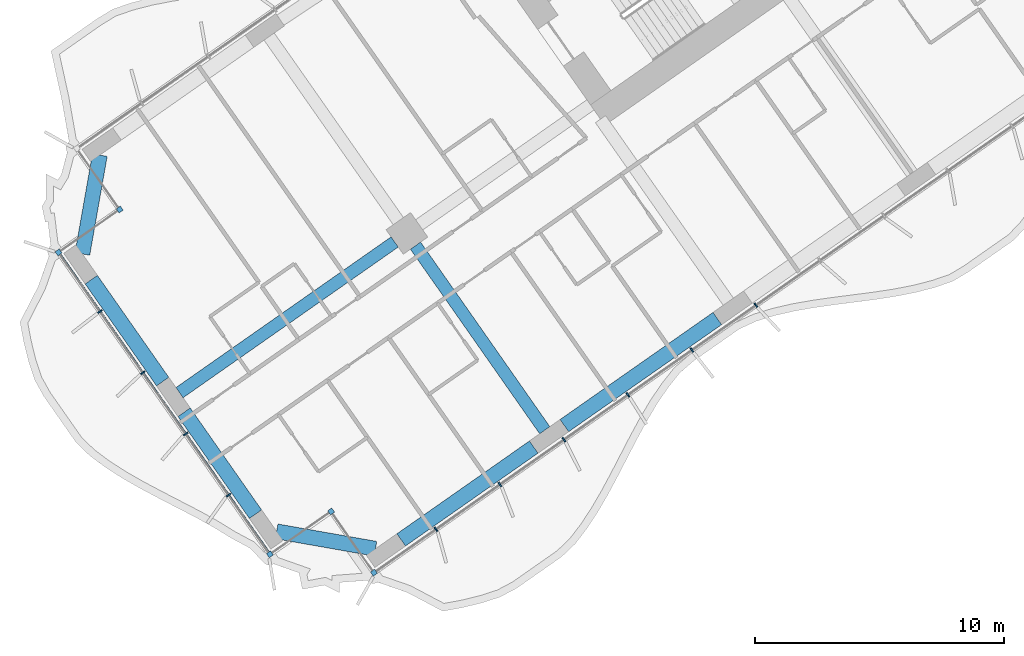
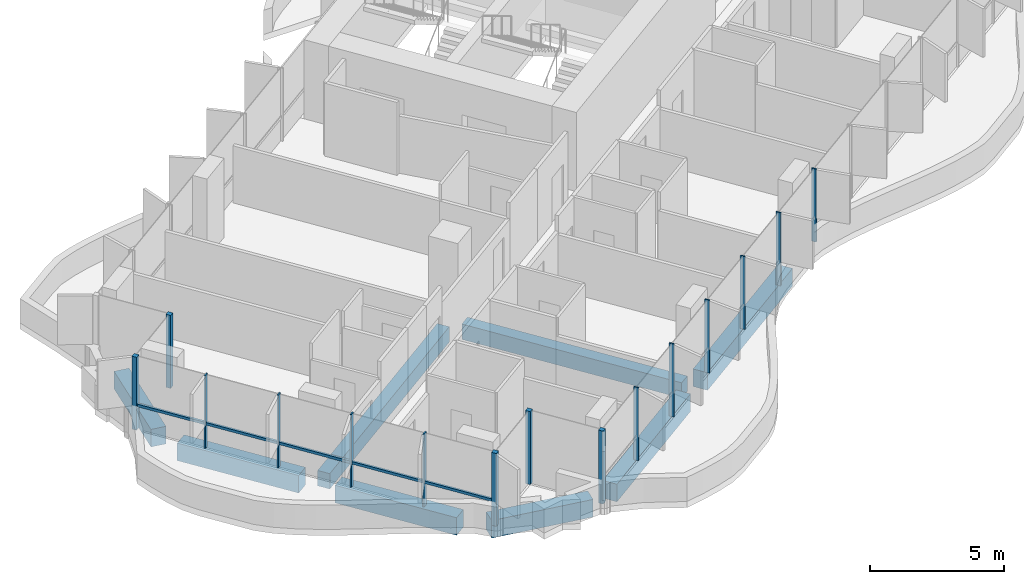
# One storey, part 2 of 25: 16 members, 8 beams, 1 element without a shape of its own.
"""IFC4 building model written with IfcOpenShell, lengths in metres."""

from ifc_helpers import new_model, si_unit, direction, frame, origin, origin_2d, place, context, subcontext, project, spatial, rectangle, extrude, material, material_profile, profile_set, type_object, element, aggregate, save


model = new_model("IFC4")

# Units and contexts
model_context = context("Model", 3, precision=1e-05, world=origin(), true_north=direction((0.0, 1.0)))
body_context = subcontext(model_context, "Body", "Model", "MODEL_VIEW")
ifc_project = project(units=[si_unit("LENGTHUNIT", "METRE"), si_unit("AREAUNIT", "SQUARE_METRE"), si_unit("VOLUMEUNIT", "CUBIC_METRE"), si_unit("PLANEANGLEUNIT", "RADIAN"), si_unit("MASSUNIT", "GRAM", prefix="KILO")], contexts=[model_context])

# Site, building, storey
site_placement = place(None, origin())
site = spatial("IfcSite", under=ifc_project, at=site_placement, CompositionType="ELEMENT")
building_placement = place(site_placement, origin())
building = spatial("IfcBuilding", under=site, at=building_placement, Name="Tel Ilan Convention Tower", CompositionType="ELEMENT")
storey_placement = place(building_placement, frame((0.0, 0.0, 54.5)))
storey = spatial("IfcBuildingStorey", under=building, at=storey_placement, Name="L08", CompositionType="ELEMENT", Elevation=54.5)

# Beams
ifc_material_1 = material(Name="Concrete C40/50", Category="concrete")
ifc_material_profile_1 = material_profile(ifc_material_1, rectangle(XDim=0.5, YDim=0.699951171875, at=origin_2d()), Name="RC 500x700")
ifc_profile_set_1 = profile_set([ifc_material_profile_1], Name="Concrete C40/50")
beam_type_1 = type_object("IfcBeamType", Name="Beam RC 500x700 Concrete C40/50", PredefinedType="BEAM", material=ifc_profile_set_1)
beam_1_placement = place(storey_placement, frame((-29.98095703125, -20.992919921875, -0.6298828125), z_axis=(-0.819151461915, -0.573577268067, 0.0), x_axis=(0.573577268067, -0.819151461915, 0.0)))
element("IfcBeam", 1, at=beam_1_placement, inside=storey, type_object=beam_type_1, Name="L08 beam W-W-M4-end", PredefinedType="BEAM", context=body_context, shape_type="SweptSolid", body=[
    extrude(rectangle(XDim=0.5, YDim=0.699951171875, at=origin_2d()), origin(), (0.0, 0.0, 1.0), 10.550048828125),
])
beam_2_placement = place(storey_placement, frame((-29.145263671875, -21.14013671875, -0.6298828125), z_axis=(0.573549245583, -0.819171082798, 0.0), x_axis=(0.819171082798, 0.573549245583, 0.0)))
element("IfcBeam", 2, at=beam_2_placement, inside=storey, type_object=beam_type_1, Name="L08 beam W-W-M4-W-F4", PredefinedType="BEAM", context=body_context, shape_type="SweptSolid", body=[
    extrude(rectangle(XDim=0.5, YDim=0.699951171875, at=origin_2d()), origin(), (0.0, 0.0, 1.0), 9.050048828125),
])
ifc_material_2 = material(Name="Concrete C40/50", Category="concrete")
ifc_material_profile_2 = material_profile(ifc_material_2, rectangle(XDim=0.60009765625, YDim=0.800048828125, at=origin_2d()), Name="RC 600x800")
ifc_profile_set_2 = profile_set([ifc_material_profile_2], Name="Concrete C40/50")
beam_type_2 = type_object("IfcBeamType", Name="Beam RC 600x800 Concrete C40/50", PredefinedType="BEAM", material=ifc_profile_set_2)
beam_3_placement = place(storey_placement, frame((-17.0244140625, -24.0673828125, -0.679931640625), z_axis=(-0.81915238829, -0.573575945067, 0.0), x_axis=(0.573575945067, -0.81915238829, 0.0)))
element("IfcBeam", 3, at=beam_3_placement, inside=storey, type_object=beam_type_2, Name="L08 beam W-W-F3-W-F4", PredefinedType="BEAM", context=body_context, shape_type="SweptSolid", body=[
    extrude(rectangle(XDim=0.60009765625, YDim=0.800048828125, at=origin_2d()), origin(), (0.0, 0.0, 1.0), 7.5),
])
beam_4_placement = place(storey_placement, frame((-24.396728515625, -29.2294921875, -0.679931640625), z_axis=(-0.819148977158, -0.573580816643, 0.0), x_axis=(0.573580816643, -0.819148977158, 0.0)))
element("IfcBeam", 4, at=beam_4_placement, inside=storey, type_object=beam_type_2, Name="L08 beam W-W-F4-W-FC", PredefinedType="BEAM", context=body_context, shape_type="SweptSolid", body=[
    extrude(rectangle(XDim=0.60009765625, YDim=0.800048828125, at=origin_2d()), origin(), (0.0, 0.0, 1.0), 6.5),
])
beam_5_placement = place(storey_placement, frame((-30.75341796875, -33.314208984375, -0.679931640625), z_axis=(-0.984815252405, 0.173605641124, 0.0), x_axis=(-0.173605641124, -0.984815252405, 0.0)))
element("IfcBeam", 5, at=beam_5_placement, inside=storey, type_object=beam_type_2, Name="L08 beam W-W-FC-W-E1", PredefinedType="BEAM", context=body_context, shape_type="SweptSolid", body=[
    extrude(rectangle(XDim=0.60009765625, YDim=0.800048828125, at=origin_2d()), origin(), (0.0, 0.0, 1.0), 4.030517578125),
])
for number, where, z_axis, x_axis, name in (
    (6, (-35.57080078125, -31.92626953125, -0.679931640625), (-0.573586866468, 0.819144740944, 0.0), (-0.819144740944, -0.573586866468, 0.0), "L08 beam W-W-E1-W-E2"),
    (7, (-39.298828125, -26.601806640625, -0.679931640625), (-0.573586866468, 0.819144740944, 0.0), (-0.819144740944, -0.573586866468, 0.0), "L08 beam W-W-E2-W-E3"),
):
    element("IfcBeam", number, at=place(storey_placement, frame(where, z_axis=z_axis, x_axis=x_axis)), inside=storey, type_object=beam_type_2, Name=name, PredefinedType="BEAM", context=body_context, shape_type="SweptSolid", body=[
        extrude(rectangle(XDim=0.60009765625, YDim=0.800048828125, at=origin_2d()), origin(), (0.0, 0.0, 1.0), 5.0),
    ])
beam_6_placement = place(storey_placement, frame((-42.523193359375, -21.473876953125, -0.679931640625), z_axis=(0.173605641124, 0.984815252405, 0.0), x_axis=(-0.984815252405, 0.173605641124, 0.0)))
element("IfcBeam", 8, at=beam_6_placement, inside=storey, type_object=beam_type_2, Name="L08 beam W-W-E3-W-BC", PredefinedType="BEAM", context=body_context, shape_type="SweptSolid", body=[
    extrude(rectangle(XDim=0.60009765625, YDim=0.800048828125, at=origin_2d()), origin(), (0.0, 0.0, 1.0), 4.030517578125),
])

# Curtain wall, members
ifc_material_3 = material(Name="Aluminium, bronze anodised", Category="aluminium")
curtain_wall_type = type_object("IfcCurtainWallType", Name="CW1 UNITISED CURTAIN WALL, HOTEL TINTED GLASS", PredefinedType="NOTDEFINED", material=ifc_material_3)
curtain_wall_placement = place(storey_placement, origin())
curtain_wall = element("IfcCurtainWall", 9, at=curtain_wall_placement, inside=storey, type_object=curtain_wall_type, Name="Curtain wall CW1-11.02", PredefinedType="NOTDEFINED")
ifc_material_4 = material(Name="Aluminium, bronze anodised", Category="aluminium")
ifc_material_profile_3 = material_profile(ifc_material_4, rectangle(XDim=0.199951171875, YDim=0.199951171875, at=origin_2d()), Name="CW CORNER MULLION 200x200")
ifc_profile_set_3 = profile_set([ifc_material_profile_3], Name="Aluminium, bronze anodised")
member_type_1 = type_object("IfcMemberType", Name="CW CORNER MULLION 200x200", PredefinedType="MULLION", material=ifc_profile_set_3)
member_1_placement = place(storey_placement, frame((-41.0244140625, -19.69189453125, 0.0), z_axis=(0.0, 0.0, 1.0), x_axis=(0.573576436351, -0.819152044289, 0.0)))
member_1 = element("IfcMember", 10, at=member_1_placement, type_object=member_type_1, Name="Corner mullion", PredefinedType="MULLION", context=body_context, shape_type="SweptSolid", body=[
    extrude(rectangle(XDim=0.199951171875, YDim=0.199951171875, at=origin_2d()), origin(), (0.0, 0.0, 1.0), 3.320068359375),
])
member_2_placement = place(storey_placement, frame((-43.48193359375, -21.41259765625, 0.0), z_axis=(0.0, 0.0, 1.0), x_axis=(-0.819152044289, -0.573576436351, 0.0)))
member_2 = element("IfcMember", 11, at=member_2_placement, type_object=member_type_1, Name="Corner mullion", PredefinedType="MULLION", context=body_context, shape_type="SweptSolid", body=[
    extrude(rectangle(XDim=0.199951171875, YDim=0.199951171875, at=origin_2d()), origin(), (0.0, 0.0, 1.0), 3.320068359375),
])
member_3_placement = place(storey_placement, frame((-34.992919921875, -33.5361328125, 0.0), z_axis=(0.0, 0.0, 1.0), x_axis=(0.573576436351, -0.819152044289, 0.0)))
member_3 = element("IfcMember", 12, at=member_3_placement, type_object=member_type_1, Name="Corner mullion", PredefinedType="MULLION", context=body_context, shape_type="SweptSolid", body=[
    extrude(rectangle(XDim=0.199951171875, YDim=0.199951171875, at=origin_2d()), origin(), (0.0, 0.0, 1.0), 3.320068359375),
])
member_4_placement = place(storey_placement, frame((-32.535400390625, -31.815185546875, 0.0), z_axis=(0.0, 0.0, 1.0), x_axis=(0.819152044289, 0.573576436351, 0.0)))
member_4 = element("IfcMember", 13, at=member_4_placement, type_object=member_type_1, Name="Corner mullion", PredefinedType="MULLION", context=body_context, shape_type="SweptSolid", body=[
    extrude(rectangle(XDim=0.199951171875, YDim=0.199951171875, at=origin_2d()), origin(), (0.0, 0.0, 1.0), 3.320068359375),
])
member_5_placement = place(storey_placement, frame((-30.814697265625, -34.272705078125, 0.0), z_axis=(0.0, 0.0, 1.0), x_axis=(0.573576436351, -0.819152044289, 0.0)))
member_5 = element("IfcMember", 14, at=member_5_placement, type_object=member_type_1, Name="Corner mullion", PredefinedType="MULLION", context=body_context, shape_type="SweptSolid", body=[
    extrude(rectangle(XDim=0.199951171875, YDim=0.199951171875, at=origin_2d()), origin(), (0.0, 0.0, 1.0), 3.320068359375),
])
ifc_material_5 = material(Name="Aluminium, bronze anodised", Category="aluminium")
ifc_material_profile_4 = material_profile(ifc_material_5, rectangle(XDim=0.06005859375, YDim=0.199951171875, at=origin_2d()), Name="CW MULLION 60x200")
ifc_profile_set_4 = profile_set([ifc_material_profile_4], Name="Aluminium, bronze anodised")
member_type_2 = type_object("IfcMemberType", Name="CW MULLION 60x200", PredefinedType="MULLION", material=ifc_profile_set_4)
member_6_placement = place(storey_placement, frame((-41.818359375, -23.7880859375, 0.0), z_axis=(0.0, 0.0, 1.0), x_axis=(0.573576436351, -0.819152044289, 0.0)))
member_6 = element("IfcMember", 15, at=member_6_placement, type_object=member_type_2, Name="Mullion", PredefinedType="MULLION", context=body_context, shape_type="SweptSolid", body=[
    extrude(rectangle(XDim=0.06005859375, YDim=0.199951171875, at=origin_2d()), origin(), (0.0, 0.0, 1.0), 3.320068359375),
])
member_7_placement = place(storey_placement, frame((-40.09765625, -26.24560546875, 0.0), z_axis=(0.0, 0.0, 1.0), x_axis=(0.573576436351, -0.819152044289, 0.0)))
member_7 = element("IfcMember", 16, at=member_7_placement, type_object=member_type_2, Name="Mullion", PredefinedType="MULLION", context=body_context, shape_type="SweptSolid", body=[
    extrude(rectangle(XDim=0.06005859375, YDim=0.199951171875, at=origin_2d()), origin(), (0.0, 0.0, 1.0), 3.320068359375),
])
member_8_placement = place(storey_placement, frame((-38.376953125, -28.703125, 0.0), z_axis=(0.0, 0.0, 1.0), x_axis=(0.573576436351, -0.819152044289, 0.0)))
member_8 = element("IfcMember", 17, at=member_8_placement, type_object=member_type_2, Name="Mullion", PredefinedType="MULLION", context=body_context, shape_type="SweptSolid", body=[
    extrude(rectangle(XDim=0.06005859375, YDim=0.199951171875, at=origin_2d()), origin(), (0.0, 0.0, 1.0), 3.320068359375),
])
member_9_placement = place(storey_placement, frame((-36.65625, -31.160400390625, 0.0), z_axis=(0.0, 0.0, 1.0), x_axis=(0.573576436351, -0.819152044289, 0.0)))
member_9 = element("IfcMember", 18, at=member_9_placement, type_object=member_type_2, Name="Mullion", PredefinedType="MULLION", context=body_context, shape_type="SweptSolid", body=[
    extrude(rectangle(XDim=0.06005859375, YDim=0.199951171875, at=origin_2d()), origin(), (0.0, 0.0, 1.0), 3.320068359375),
])
member_10_placement = place(storey_placement, frame((-28.32666015625, -32.530517578125, 0.0), z_axis=(0.0, 0.0, 1.0), x_axis=(0.819152044289, 0.573576436351, 0.0)))
member_10 = element("IfcMember", 19, at=member_10_placement, type_object=member_type_2, Name="Mullion", PredefinedType="MULLION", context=body_context, shape_type="SweptSolid", body=[
    extrude(rectangle(XDim=0.06005859375, YDim=0.199951171875, at=origin_2d()), origin(), (0.0, 0.0, 1.0), 3.320068359375),
])
member_11_placement = place(storey_placement, frame((-25.7568359375, -30.731201171875, 0.0), z_axis=(0.0, 0.0, 1.0), x_axis=(0.819152044289, 0.573576436351, 0.0)))
member_11 = element("IfcMember", 20, at=member_11_placement, type_object=member_type_2, Name="Mullion", PredefinedType="MULLION", context=body_context, shape_type="SweptSolid", body=[
    extrude(rectangle(XDim=0.06005859375, YDim=0.199951171875, at=origin_2d()), origin(), (0.0, 0.0, 1.0), 3.320068359375),
])
member_12_placement = place(storey_placement, frame((-23.186767578125, -28.931640625, 0.0), z_axis=(0.0, 0.0, 1.0), x_axis=(0.819152044289, 0.573576436351, 0.0)))
member_12 = element("IfcMember", 21, at=member_12_placement, type_object=member_type_2, Name="Mullion", PredefinedType="MULLION", context=body_context, shape_type="SweptSolid", body=[
    extrude(rectangle(XDim=0.06005859375, YDim=0.199951171875, at=origin_2d()), origin(), (0.0, 0.0, 1.0), 3.320068359375),
])
member_13_placement = place(storey_placement, frame((-20.616943359375, -27.132080078125, 0.0), z_axis=(0.0, 0.0, 1.0), x_axis=(0.819152044289, 0.573576436351, 0.0)))
member_13 = element("IfcMember", 22, at=member_13_placement, type_object=member_type_2, Name="Mullion", PredefinedType="MULLION", context=body_context, shape_type="SweptSolid", body=[
    extrude(rectangle(XDim=0.06005859375, YDim=0.199951171875, at=origin_2d()), origin(), (0.0, 0.0, 1.0), 3.320068359375),
])
member_14_placement = place(storey_placement, frame((-18.046875, -25.332763671875, 0.0), z_axis=(0.0, 0.0, 1.0), x_axis=(0.819152044289, 0.573576436351, 0.0)))
member_14 = element("IfcMember", 23, at=member_14_placement, type_object=member_type_2, Name="Mullion", PredefinedType="MULLION", context=body_context, shape_type="SweptSolid", body=[
    extrude(rectangle(XDim=0.06005859375, YDim=0.199951171875, at=origin_2d()), origin(), (0.0, 0.0, 1.0), 3.320068359375),
])
member_15_placement = place(storey_placement, frame((-15.47705078125, -23.533203125, 0.0), z_axis=(0.0, 0.0, 1.0), x_axis=(0.819152044289, 0.573576436351, 0.0)))
member_15 = element("IfcMember", 24, at=member_15_placement, type_object=member_type_2, Name="Mullion", PredefinedType="MULLION", context=body_context, shape_type="SweptSolid", body=[
    extrude(rectangle(XDim=0.06005859375, YDim=0.199951171875, at=origin_2d()), origin(), (0.0, 0.0, 1.0), 3.320068359375),
])
ifc_material_6 = material(Name="Aluminium, bronze anodised", Category="aluminium")
ifc_material_profile_5 = material_profile(ifc_material_6, rectangle(XDim=0.10009765625, YDim=0.1201171875, at=origin_2d()), Name="CW TRANSOM 100x120")
ifc_profile_set_5 = profile_set([ifc_material_profile_5], Name="Aluminium, bronze anodised")
member_type_3 = type_object("IfcMemberType", Name="CW TRANSOM 100x120", PredefinedType="USERDEFINED", material=ifc_profile_set_5)
member_16_placement = place(storey_placement, frame((-43.424560546875, -21.494384765625, 1.10009765625), z_axis=(0.573575688231, -0.819152568128, 0.0), x_axis=(0.819152568128, 0.573575688231, 0.0)))
member_16 = element("IfcMember", 25, at=member_16_placement, type_object=member_type_3, Name="Transom", ObjectType="TRANSOM", PredefinedType="USERDEFINED", context=body_context, shape_type="SweptSolid", body=[
    extrude(rectangle(XDim=0.10009765625, YDim=0.1201171875, at=origin_2d()), origin(), (0.0, 0.0, 1.0), 14.60009765625),
])
aggregate(curtain_wall, [member_1, member_2, member_6, member_7, member_8, member_9, member_3, member_16, member_4, member_5, member_10, member_11, member_12, member_13, member_14, member_15])

save(model, "model.ifc")
